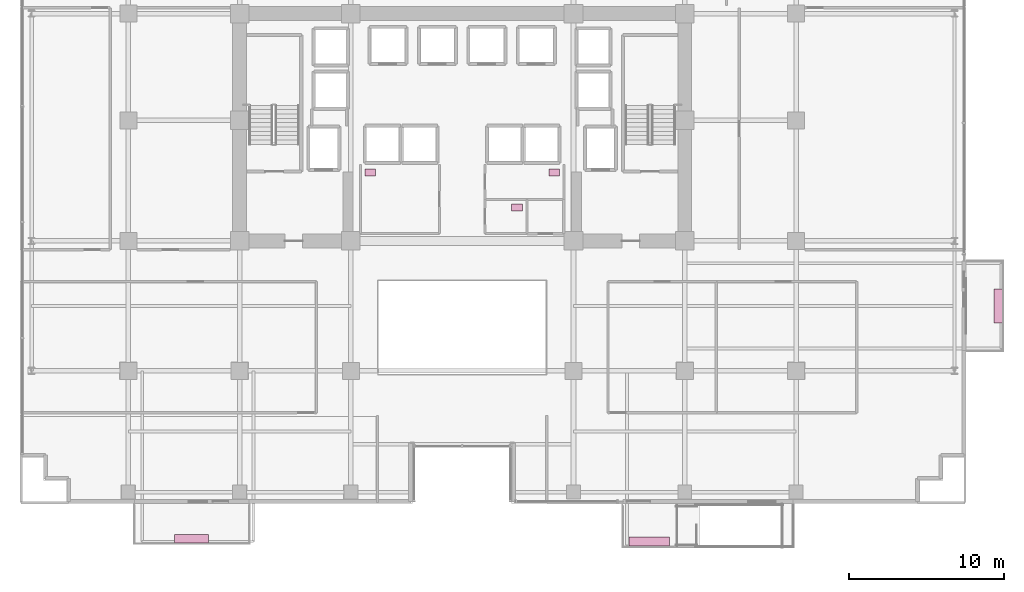
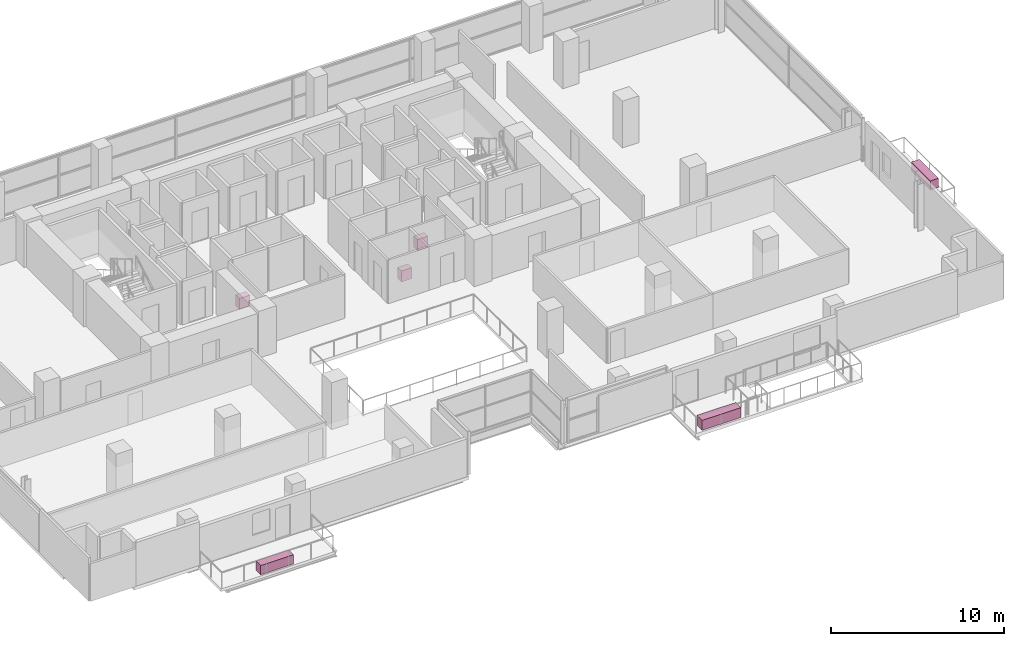
# One storey, part 28 of 28: 6 furnishings.
"""IFC4 building model written with IfcOpenShell, lengths in metres."""

from ifc_helpers import new_model, si_unit, direction, frame, origin, origin_2d, place, context, subcontext, project, spatial, rectangle, extrude, source, transform, mapped, material, type_object, element, save


model = new_model("IFC4")

# Units and contexts
model_context = context("Model", 3, precision=1e-05, world=origin(), true_north=direction((0.0, 1.0)))
body_context = subcontext(model_context, "Body", "Model", "MODEL_VIEW")
ifc_project = project(units=[si_unit("LENGTHUNIT", "METRE"), si_unit("AREAUNIT", "SQUARE_METRE"), si_unit("VOLUMEUNIT", "CUBIC_METRE"), si_unit("PLANEANGLEUNIT", "RADIAN"), si_unit("MASSUNIT", "GRAM", prefix="KILO")], contexts=[model_context])

# Site, building, storey
site_placement = place(None, origin())
site = spatial("IfcSite", under=ifc_project, at=site_placement, CompositionType="ELEMENT")
building_placement = place(site_placement, origin())
building = spatial("IfcBuilding", under=site, at=building_placement, Name="Zarnakvel Exchange Tower", CompositionType="ELEMENT")
storey_placement = place(building_placement, frame((0.0, 0.0, 57.10009765625)))
storey = spatial("IfcBuildingStorey", under=building, at=storey_placement, Name="L15", CompositionType="ELEMENT", Elevation=57.10009765625)

# Furnishings
ifc_material_1 = material(Name="Architectural Bronze Anodised Aluminium", Category="aluminium")
furnishing_element_type_1 = type_object("IfcFurnishingElementType", Name="PLNT-02", material=ifc_material_1)
shared_shape_1 = source(origin(), body_context, "Body", "SweptSolid", [
    extrude(rectangle(XDim=2.60009765625, YDim=0.60009765625, at=origin_2d()), origin(), (0.0, 0.0, 1.0), 0.699951171875),
])
furnishing_placement = place(storey_placement, frame((12.10009765625, -20.639892578125, 0.0), z_axis=(0.0, 0.0, 1.0), x_axis=(1.0, 0.0, 0.0)))
element("IfcFurnishingElement", 1, at=furnishing_placement, inside=storey, type_object=furnishing_element_type_1, Name="L15 Spiral Sky-Terrace Tropical Planter", ObjectType="PLANTER", context=body_context, shape_type="MappedRepresentation", body=[
    mapped(shared_shape_1, transform((0.0, 0.0, 0.0), x_axis=(1.0, 0.0, 0.0), y_axis=(0.0, 1.0, 0.0), z_axis=(0.0, 0.0, 1.0), scale=1.0)),
])
furnishing_element_type_2 = type_object("IfcFurnishingElementType", Name="PLNT-01", material=ifc_material_1)
shared_shape_2 = source(origin(), body_context, "Body", "SweptSolid", [
    extrude(rectangle(XDim=2.199951171875, YDim=0.550048828125, at=origin_2d()), origin(), (0.0, 0.0, 1.0), 0.64990234375),
])
for number, where, z_axis, x_axis, name in (
    (2, (-17.5, -20.469970703125, -0.03515625), (0.0, 0.0, 1.0), (1.0, 0.0, 0.0), "L15 Balcony Greenery Planter BAL-L15-SW"),
    (3, (34.669921875, -5.39990234375, -0.03515625), (0.0, 0.0, 1.0), (0.0, 1.0, 0.0), "L15 Balcony Greenery Planter BAL-L15-E"),
):
    element("IfcFurnishingElement", number, at=place(storey_placement, frame(where, z_axis=z_axis, x_axis=x_axis)), inside=storey, type_object=furnishing_element_type_2, Name=name, ObjectType="PLANTER", context=body_context, shape_type="MappedRepresentation", body=[
        mapped(shared_shape_2, transform((0.0, 0.0, 0.0), x_axis=(1.0, 0.0, 0.0), y_axis=(0.0, 1.0, 0.0), z_axis=(0.0, 0.0, 1.0), scale=1.0)),
    ])
ifc_material_2 = material(Name="Vitreous China Sanitaryware", Category="ceramic")
furnishing_element_type_3 = type_object("IfcFurnishingElementType", Name="SAN-WC", material=ifc_material_2)
shared_shape_3 = source(origin(), body_context, "Body", "SweptSolid", [
    extrude(rectangle(XDim=0.699951171875, YDim=0.449951171875, at=origin_2d()), origin(), (0.0, 0.0, 1.0), 0.780029296875),
])
for number, where, z_axis, x_axis, name in (
    (4, (-5.949951171875, 3.22998046875, 0.0), (0.0, 0.0, 1.0), (1.0, 0.0, 0.0), "L15 Sanitary Fixture (Male Toilet)"),
    (5, (5.949951171875, 3.22998046875, 0.0), (0.0, 0.0, 1.0), (1.0, 0.0, 0.0), "L15 Sanitary Fixture (Female Toilet)"),
    (6, (3.550048828125, 0.949951171875, 0.0), (0.0, 0.0, 1.0), (1.0, 0.0, 0.0), "L15 Sanitary Fixture (Accessible Toilet)"),
):
    element("IfcFurnishingElement", number, at=place(storey_placement, frame(where, z_axis=z_axis, x_axis=x_axis)), inside=storey, type_object=furnishing_element_type_3, Name=name, ObjectType="SANITARY_FIXTURE", context=body_context, shape_type="MappedRepresentation", body=[
        mapped(shared_shape_3, transform((0.0, 0.0, 0.0), x_axis=(1.0, 0.0, 0.0), y_axis=(0.0, 1.0, 0.0), z_axis=(0.0, 0.0, 1.0), scale=1.0)),
    ])

save(model, "model.ifc")
